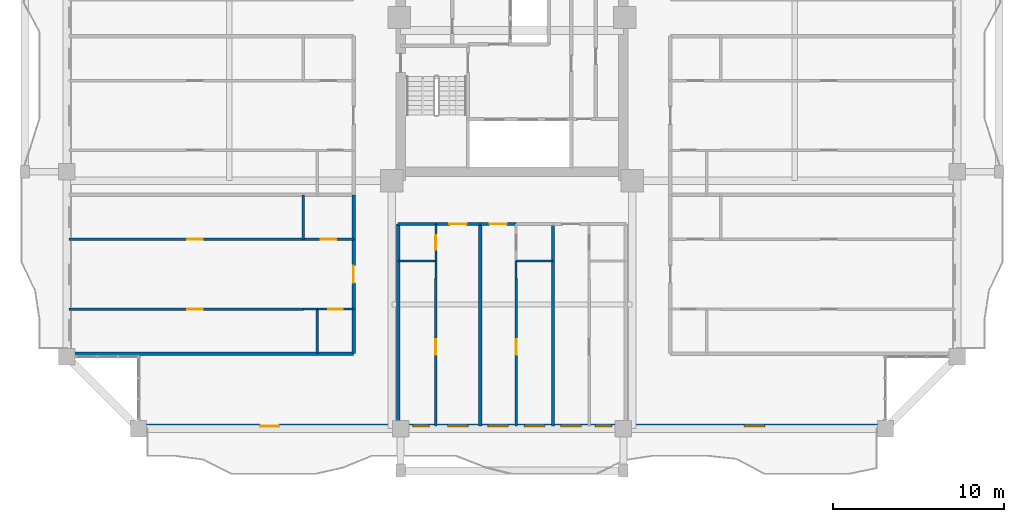
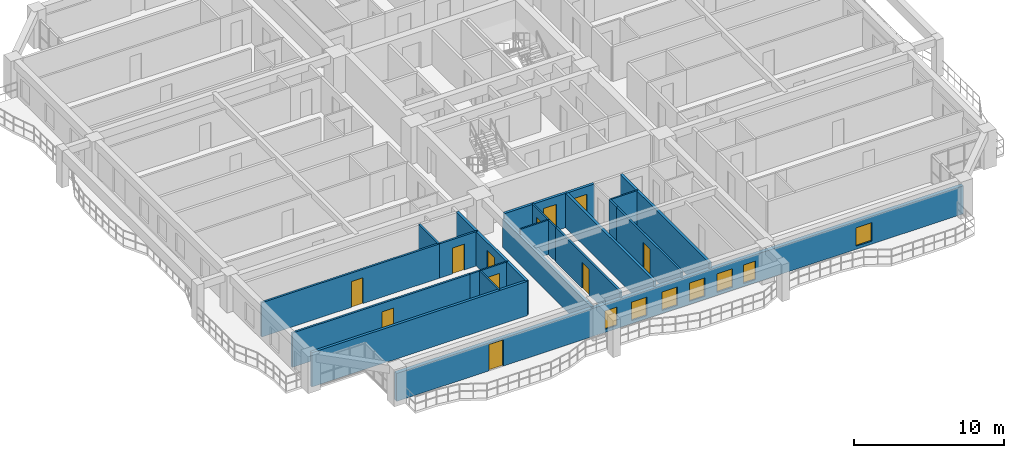
# One storey, part 14 of 25: 25 walls, 11 doors, 7 windows, 18 openings.
"""IFC4 building model written with IfcOpenShell, lengths in metres."""

from ifc_helpers import new_model, si_unit, direction, frame, frame_2d, origin, place, context, subcontext, project, spatial, rectangle, extrude, source, transform, mapped, material, layer, layer_set, type_object, element, fill, save


model = new_model("IFC4")

# Units and contexts
model_context = context("Model", 3, precision=1e-05, world=origin(), true_north=direction((0.0, 1.0)))
body_context = subcontext(model_context, "Body", "Model", "MODEL_VIEW")
ifc_project = project(units=[si_unit("LENGTHUNIT", "METRE"), si_unit("AREAUNIT", "SQUARE_METRE"), si_unit("VOLUMEUNIT", "CUBIC_METRE"), si_unit("PLANEANGLEUNIT", "RADIAN"), si_unit("MASSUNIT", "GRAM", prefix="KILO")], contexts=[model_context])

# Site, building, storey
site_placement = place(None, origin())
site = spatial("IfcSite", under=ifc_project, at=site_placement, CompositionType="ELEMENT")
building_placement = place(site_placement, origin())
building = spatial("IfcBuilding", under=site, at=building_placement, Name="Saelheon Loggia Tower", CompositionType="ELEMENT")
storey_placement = place(building_placement, frame((0.0, 0.0, 107.85009765625)))
storey = spatial("IfcBuildingStorey", under=building, at=storey_placement, Name="L34", CompositionType="ELEMENT", Elevation=107.85009765625)

# Wall, openings, windows, door
ifc_material_1 = material(Name="Architectural Precast Concrete C40/50", Category="concrete")
ifc_layer_1 = layer(ifc_material_1, 0.280029296875)
ifc_layer_set_1 = layer_set([ifc_layer_1], Name="Architectural Precast Concrete C40/50")
wall_type_1 = type_object("IfcWallType", Name="Wall_Ext_Loggia_280", PredefinedType="SOLIDWALL", material=ifc_layer_set_1)
wall_1_placement = place(storey_placement, frame((16.199951171875, 3.139892578125, 0.0), z_axis=(0.0, 0.0, 1.0), x_axis=(1.0, 0.0, 0.0)))
wall_1 = element("IfcWall", 1, at=wall_1_placement, inside=storey, type_object=wall_type_1, Name="L34 South Loggia Inner Wall", PredefinedType="SOLIDWALL", context=body_context, shape_type="SweptSolid", body=[
    extrude(rectangle(XDim=43.60009765625, YDim=0.280029296875, at=frame_2d((21.800048828125, 0.0))), origin(), (0.0, 0.0, 1.0), 2.27978515625),
])
opening_1_placement = place(wall_1_placement, frame((8.2001953125, 0.0, 0.0), z_axis=(0.0, 0.0, 1.0), x_axis=(-1.0, 0.0, 0.0)))
opening_1 = element("IfcOpeningElement", 2, at=opening_1_placement, cuts=wall_1, Name="Opening TD1", PredefinedType="OPENING", context=body_context, shape_type="SweptSolid", body=[
    extrude(rectangle(XDim=1.10009765625, YDim=2.14990234375, at=frame_2d((0.550048828125, 1.074951171875))), frame((0.0, 0.152099609375, 0.0), z_axis=(0.0, -1.0, 0.0), x_axis=(1.0, 0.0, 0.0)), (0.0, 0.0, 1.0), 0.303955078125),
])
opening_2_placement = place(wall_1_placement, frame((16.0087890625, 0.0, 0.25)))
opening_2 = element("IfcOpeningElement", 3, at=opening_2_placement, cuts=wall_1, Name="Opening WN-04", PredefinedType="OPENING", context=body_context, shape_type="SweptSolid", body=[
    extrude(rectangle(XDim=0.949951171875, YDim=1.5, at=frame_2d((0.47509765625, 0.75))), frame((0.0, 0.152099609375, 0.0), z_axis=(0.0, -1.0, 0.0), x_axis=(1.0, 0.0, 0.0)), (0.0, 0.0, 1.0), 0.303955078125),
])
opening_3_placement = place(wall_1_placement, frame((18.045166015625, 0.0, 0.25)))
opening_3 = element("IfcOpeningElement", 4, at=opening_3_placement, cuts=wall_1, Name="Opening WN-03", PredefinedType="OPENING", context=body_context, shape_type="SweptSolid", body=[
    extrude(rectangle(XDim=1.199951171875, YDim=1.5, at=frame_2d((0.60009765625, 0.75))), frame((0.0, 0.152099609375, 0.0), z_axis=(0.0, -1.0, 0.0), x_axis=(1.0, 0.0, 0.0)), (0.0, 0.0, 1.0), 0.303955078125),
])
opening_4_placement = place(wall_1_placement, frame((20.39111328125, 0.0, 0.25)))
opening_4 = element("IfcOpeningElement", 5, at=opening_4_placement, cuts=wall_1, Name="Opening WN-03", PredefinedType="OPENING", context=body_context, shape_type="SweptSolid", body=[
    extrude(rectangle(XDim=1.199951171875, YDim=1.5, at=frame_2d((0.60009765625, 0.75))), frame((0.0, 0.152099609375, 0.0), z_axis=(0.0, -1.0, 0.0), x_axis=(1.0, 0.0, 0.0)), (0.0, 0.0, 1.0), 0.303955078125),
])
opening_5_placement = place(wall_1_placement, frame((22.51904296875, 0.0, 0.25)))
opening_5 = element("IfcOpeningElement", 6, at=opening_5_placement, cuts=wall_1, Name="Opening WN-03", PredefinedType="OPENING", context=body_context, shape_type="SweptSolid", body=[
    extrude(rectangle(XDim=1.199951171875, YDim=1.5, at=frame_2d((0.60009765625, 0.75))), frame((0.0, 0.152099609375, 0.0), z_axis=(0.0, -1.0, 0.0), x_axis=(1.0, 0.0, 0.0)), (0.0, 0.0, 1.0), 0.303955078125),
])
opening_6_placement = place(wall_1_placement, frame((24.64697265625, 0.0, 0.25)))
opening_6 = element("IfcOpeningElement", 7, at=opening_6_placement, cuts=wall_1, Name="Opening WN-03", PredefinedType="OPENING", context=body_context, shape_type="SweptSolid", body=[
    extrude(rectangle(XDim=1.199951171875, YDim=1.5, at=frame_2d((0.60009765625, 0.75))), frame((0.0, 0.152099609375, 0.0), z_axis=(0.0, -1.0, 0.0), x_axis=(1.0, 0.0, 0.0)), (0.0, 0.0, 1.0), 0.303955078125),
])
opening_7_placement = place(wall_1_placement, frame((26.66748046875, 0.0, 0.25)))
opening_7 = element("IfcOpeningElement", 8, at=opening_7_placement, cuts=wall_1, Name="Opening WN-04", PredefinedType="OPENING", context=body_context, shape_type="SweptSolid", body=[
    extrude(rectangle(XDim=0.949951171875, YDim=1.5, at=frame_2d((0.47509765625, 0.75))), frame((0.0, 0.152099609375, 0.0), z_axis=(0.0, -1.0, 0.0), x_axis=(1.0, 0.0, 0.0)), (0.0, 0.0, 1.0), 0.303955078125),
])
opening_8_placement = place(wall_1_placement, frame((35.35009765625, 0.0, 0.25)))
opening_8 = element("IfcOpeningElement", 9, at=opening_8_placement, cuts=wall_1, Name="Opening WN-03", PredefinedType="OPENING", context=body_context, shape_type="SweptSolid", body=[
    extrude(rectangle(XDim=1.199951171875, YDim=1.5, at=frame_2d((0.60009765625, 0.75))), frame((0.0, 0.152099609375, 0.0), z_axis=(0.0, -1.0, 0.0), x_axis=(1.0, 0.0, 0.0)), (0.0, 0.0, 1.0), 0.303955078125),
])
ifc_material_2 = material(Name="Thermal-Break Aluminium and Triple Low-E Glass", Category="aluminium")
window_type_1 = type_object("IfcWindowType", Name="Win_Bedroom_1200x1500", PartitioningType="SINGLE_PANEL", PredefinedType="WINDOW", material=ifc_material_2)
shared_shape_1 = source(origin(), body_context, "Body", "SweptSolid", [
    extrude(rectangle(XDim=1.199951171875, YDim=1.5, at=frame_2d((0.60009765625, 0.75))), frame((0.0, 0.030029296875, 0.0), z_axis=(0.0, -1.0, 0.0), x_axis=(1.0, 0.0, 0.0)), (0.0, 0.0, 1.0), 0.06005859375),
])
window_1_placement = place(opening_3_placement, origin())
window_1 = element("IfcWindow", 10, at=window_1_placement, inside=storey, type_object=window_type_1, Name="L34 S Dwelling Window 3", OverallHeight=1.5, OverallWidth=1.199951171875, PartitioningType="SINGLE_PANEL", PredefinedType="WINDOW", context=body_context, shape_type="MappedRepresentation", body=[
    mapped(shared_shape_1, transform((0.0, 0.0, 0.0), scale=1.0)),
])
fill(opening_3, window_1)
window_2_placement = place(opening_4_placement, origin())
window_2 = element("IfcWindow", 11, at=window_2_placement, inside=storey, type_object=window_type_1, Name="L34 S Dwelling Window 4", OverallHeight=1.5, OverallWidth=1.199951171875, PartitioningType="SINGLE_PANEL", PredefinedType="WINDOW", context=body_context, shape_type="MappedRepresentation", body=[
    mapped(shared_shape_1, transform((0.0, 0.0, 0.0), scale=1.0)),
])
fill(opening_4, window_2)
window_3_placement = place(opening_5_placement, origin())
window_3 = element("IfcWindow", 12, at=window_3_placement, inside=storey, type_object=window_type_1, Name="L34 S Dwelling Window 5", OverallHeight=1.5, OverallWidth=1.199951171875, PartitioningType="SINGLE_PANEL", PredefinedType="WINDOW", context=body_context, shape_type="MappedRepresentation", body=[
    mapped(shared_shape_1, transform((0.0, 0.0, 0.0), scale=1.0)),
])
fill(opening_5, window_3)
window_4_placement = place(opening_6_placement, origin())
window_4 = element("IfcWindow", 13, at=window_4_placement, inside=storey, type_object=window_type_1, Name="L34 S Dwelling Window 6", OverallHeight=1.5, OverallWidth=1.199951171875, PartitioningType="SINGLE_PANEL", PredefinedType="WINDOW", context=body_context, shape_type="MappedRepresentation", body=[
    mapped(shared_shape_1, transform((0.0, 0.0, 0.0), scale=1.0)),
])
fill(opening_6, window_4)
window_5_placement = place(opening_8_placement, origin())
window_5 = element("IfcWindow", 14, at=window_5_placement, inside=storey, type_object=window_type_1, Name="L34 S Dwelling Window 8", OverallHeight=1.5, OverallWidth=1.199951171875, PartitioningType="SINGLE_PANEL", PredefinedType="WINDOW", context=body_context, shape_type="MappedRepresentation", body=[
    mapped(shared_shape_1, transform((0.0, 0.0, 0.0), scale=1.0)),
])
fill(opening_8, window_5)
ifc_material_3 = material(Name="Thermal-Break Aluminium Glazed Door", Category="aluminium")
door_type_1 = type_object("IfcDoorType", Name="Door_Terrace_TD1", OperationType="NOTDEFINED", PredefinedType="DOOR", material=ifc_material_3)
shared_shape_2 = source(origin(), body_context, "Body", "SweptSolid", [
    extrude(rectangle(XDim=1.10009765625, YDim=2.14990234375, at=frame_2d((0.550048828125, 1.074951171875))), frame((0.0, 0.02490234375, 0.0), z_axis=(0.0, -1.0, 0.0), x_axis=(1.0, 0.0, 0.0)), (0.0, 0.0, 1.0), 0.050048828125),
])
door_1_placement = place(opening_1_placement, origin())
door_1 = element("IfcDoor", 15, at=door_1_placement, inside=storey, type_object=door_type_1, Name="L34 S Loggia Access Door", OperationType="SINGLE_SWING_LEFT", OverallHeight=2.14990234375, OverallWidth=1.10009765625, PredefinedType="DOOR", context=body_context, shape_type="MappedRepresentation", body=[
    mapped(shared_shape_2, transform((0.0, 0.0, 0.0), scale=1.0)),
])
fill(opening_1, door_1)
window_type_2 = type_object("IfcWindowType", Name="Win_Narrow_950x1500", PartitioningType="SINGLE_PANEL", PredefinedType="WINDOW", material=ifc_material_2)
shared_shape_3 = source(origin(), body_context, "Body", "SweptSolid", [
    extrude(rectangle(XDim=0.949951171875, YDim=1.5, at=frame_2d((0.47509765625, 0.75))), frame((0.0, 0.030029296875, 0.0), z_axis=(0.0, -1.0, 0.0), x_axis=(1.0, 0.0, 0.0)), (0.0, 0.0, 1.0), 0.06005859375),
])
window_6_placement = place(opening_2_placement, origin())
window_6 = element("IfcWindow", 16, at=window_6_placement, inside=storey, type_object=window_type_2, Name="L34 S Dwelling Window 2", OverallHeight=1.5, OverallWidth=0.949951171875, PartitioningType="SINGLE_PANEL", PredefinedType="WINDOW", context=body_context, shape_type="MappedRepresentation", body=[
    mapped(shared_shape_3, transform((0.0, 0.0, 0.0), scale=1.0)),
])
fill(opening_2, window_6)
window_7_placement = place(opening_7_placement, origin())
window_7 = element("IfcWindow", 17, at=window_7_placement, inside=storey, type_object=window_type_2, Name="L34 S Dwelling Window 7", OverallHeight=1.5, OverallWidth=0.949951171875, PartitioningType="SINGLE_PANEL", PredefinedType="WINDOW", context=body_context, shape_type="MappedRepresentation", body=[
    mapped(shared_shape_3, transform((0.0, 0.0, 0.0), scale=1.0)),
])
fill(opening_7, window_7)

# Wall, opening, door
ifc_material_4 = material(Name="Lightweight Autoclaved Aerated Concrete Block and Acoustic Gypsum", Category="concrete")
ifc_layer_2 = layer(ifc_material_4, 0.14990234375)
ifc_layer_set_2 = layer_set([ifc_layer_2], Name="Lightweight Autoclaved Aerated Concrete Block and Acoustic Gypsum")
wall_type_2 = type_object("IfcWallType", Name="Wall_Part_150", PredefinedType="PARTITIONING", material=ifc_layer_set_2)
wall_2_placement = place(storey_placement, frame((33.552490234375, 11.780029296875, 0.0), z_axis=(0.0, 0.0, 1.0), x_axis=(0.0, -1.0, 0.0)))
wall_2 = element("IfcWall", 18, at=wall_2_placement, inside=storey, type_object=wall_type_2, Name="L34 S Partition U08", PredefinedType="PARTITIONING", context=body_context, shape_type="SweptSolid", body=[
    extrude(rectangle(XDim=8.630126953125, YDim=0.14990234375, at=frame_2d((4.31494140625, 0.0))), origin(), (0.0, 0.0, 1.0), 2.789794921875),
])
opening_9_placement = place(wall_2_placement, frame((3.56298828125, 0.0, 0.0)))
opening_9 = element("IfcOpeningElement", 19, at=opening_9_placement, cuts=wall_2, Name="Opening D-IN2", PredefinedType="OPENING", context=body_context, shape_type="SweptSolid", body=[
    extrude(rectangle(XDim=0.89990234375, YDim=2.10009765625, at=frame_2d((0.449951171875, 1.050048828125))), frame((0.0, 0.0869140625, 0.0), z_axis=(0.0, -1.0, 0.0), x_axis=(1.0, 0.0, 0.0)), (0.0, 0.0, 1.0), 0.173828125),
])
ifc_material_5 = material(Name="Engineered Oak Flush Door", Category="timber")
door_type_2 = type_object("IfcDoorType", Name="Door_Int_900", OperationType="NOTDEFINED", PredefinedType="DOOR", material=ifc_material_5)
shared_shape_4 = source(origin(), body_context, "Body", "SweptSolid", [
    extrude(rectangle(XDim=0.89990234375, YDim=2.10009765625, at=frame_2d((0.449951171875, 1.050048828125))), frame((0.0, 0.02490234375, 0.0), z_axis=(0.0, -1.0, 0.0), x_axis=(1.0, 0.0, 0.0)), (0.0, 0.0, 1.0), 0.050048828125),
])
door_2_placement = place(opening_9_placement, origin())
door_2 = element("IfcDoor", 20, at=door_2_placement, inside=storey, type_object=door_type_2, Name="Unit U01 Kitchen Door", OperationType="SINGLE_SWING_RIGHT", OverallHeight=2.10009765625, OverallWidth=0.89990234375, PredefinedType="DOOR", context=body_context, shape_type="MappedRepresentation", body=[
    mapped(shared_shape_4, transform((0.0, 0.0, 0.0), scale=1.0)),
])
fill(opening_9, door_2)

wall_3_placement = place(storey_placement, frame((38.243896484375, 11.780029296875, 0.0), z_axis=(0.0, 0.0, 1.0), x_axis=(0.0, -1.0, 0.0)))
wall_3 = element("IfcWall", 21, at=wall_3_placement, inside=storey, type_object=wall_type_2, Name="L34 S Partition U15", PredefinedType="PARTITIONING", context=body_context, shape_type="SweptSolid", body=[
    extrude(rectangle(XDim=8.630126953125, YDim=0.14990234375, at=frame_2d((4.31494140625, 0.0))), origin(), (0.0, 0.0, 1.0), 2.789794921875),
])
opening_10_placement = place(wall_3_placement, frame((3.56298828125, 0.0, 0.0)))
opening_10 = element("IfcOpeningElement", 22, at=opening_10_placement, cuts=wall_3, Name="Opening D-IN2", PredefinedType="OPENING", context=body_context, shape_type="SweptSolid", body=[
    extrude(rectangle(XDim=0.89990234375, YDim=2.10009765625, at=frame_2d((0.449951171875, 1.050048828125))), frame((0.0, 0.0869140625, 0.0), z_axis=(0.0, -1.0, 0.0), x_axis=(1.0, 0.0, 0.0)), (0.0, 0.0, 1.0), 0.173828125),
])
door_3_placement = place(opening_10_placement, origin())
door_3 = element("IfcDoor", 23, at=door_3_placement, inside=storey, type_object=door_type_2, Name="Unit U02 Kitchen Door", OperationType="SINGLE_SWING_LEFT", OverallHeight=2.10009765625, OverallWidth=0.89990234375, PredefinedType="DOOR", context=body_context, shape_type="MappedRepresentation", body=[
    mapped(shared_shape_4, transform((0.0, 0.0, 0.0), scale=1.0)),
])
fill(opening_10, door_3)

# Wall
wall_4_placement = place(storey_placement, frame((25.820068359375, 14.050048828125, 0.0), z_axis=(0.0, 0.0, 1.0), x_axis=(0.0, 1.0, 0.0)))
element("IfcWall", 24, at=wall_4_placement, inside=storey, type_object=wall_type_2, Name="L34 WS Partition V07", PredefinedType="PARTITIONING", context=body_context, shape_type="SweptSolid", body=[
    extrude(rectangle(XDim=2.599853515625, YDim=0.14990234375, at=frame_2d((1.2998046875, 0.0))), origin(), (0.0, 0.0, 1.0), 2.789794921875),
])

# Wall, opening, door
wall_5_placement = place(storey_placement, frame((25.820068359375, 9.9755859375, 0.0), z_axis=(0.0, 0.0, 1.0), x_axis=(-1.0, 0.0, 0.0)))
wall_5 = element("IfcWall", 25, at=wall_5_placement, inside=storey, type_object=wall_type_2, Name="L34 WS Partition U10", PredefinedType="PARTITIONING", context=body_context, shape_type="SweptSolid", body=[
    extrude(rectangle(XDim=13.670166015625, YDim=0.14990234375, at=frame_2d((6.8349609375, 0.0))), origin(), (0.0, 0.0, 1.0), 2.789794921875),
])
opening_11_placement = place(wall_5_placement, frame((5.872802734375, 0.0, 0.0)))
opening_11 = element("IfcOpeningElement", 26, at=opening_11_placement, cuts=wall_5, Name="Opening D-IN2", PredefinedType="OPENING", context=body_context, shape_type="SweptSolid", body=[
    extrude(rectangle(XDim=0.89990234375, YDim=2.10009765625, at=frame_2d((0.449951171875, 1.050048828125))), frame((0.0, 0.0869140625, 0.0), z_axis=(0.0, -1.0, 0.0), x_axis=(1.0, 0.0, 0.0)), (0.0, 0.0, 1.0), 0.173828125),
])
door_4_placement = place(opening_11_placement, origin())
door_4 = element("IfcDoor", 27, at=door_4_placement, inside=storey, type_object=door_type_2, Name="Unit U06 Kitchen Door", OperationType="SINGLE_SWING_RIGHT", OverallHeight=2.10009765625, OverallWidth=0.89990234375, PredefinedType="DOOR", context=body_context, shape_type="MappedRepresentation", body=[
    mapped(shared_shape_4, transform((0.0, 0.0, 0.0), scale=1.0)),
])
fill(opening_11, door_4)

wall_6_placement = place(storey_placement, frame((28.75, 14.050048828125, 0.0), z_axis=(0.0, 0.0, 1.0), x_axis=(-1.0, 0.0, 0.0)))
wall_6 = element("IfcWall", 28, at=wall_6_placement, inside=storey, type_object=wall_type_2, Name="L34 WS Partition U11", PredefinedType="PARTITIONING", context=body_context, shape_type="SweptSolid", body=[
    extrude(rectangle(XDim=2.929931640625, YDim=0.14990234375, at=frame_2d((1.46484375, 0.0))), origin(), (0.0, 0.0, 1.0), 2.789794921875),
])
opening_12_placement = place(wall_6_placement, frame((1.014892578125, 0.0, 0.0)))
opening_12 = element("IfcOpeningElement", 29, at=opening_12_placement, cuts=wall_6, Name="Opening D-IN2", PredefinedType="OPENING", context=body_context, shape_type="SweptSolid", body=[
    extrude(rectangle(XDim=0.89990234375, YDim=2.10009765625, at=frame_2d((0.449951171875, 1.050048828125))), frame((0.0, 0.0869140625, 0.0), z_axis=(0.0, -1.0, 0.0), x_axis=(1.0, 0.0, 0.0)), (0.0, 0.0, 1.0), 0.173828125),
])
door_5_placement = place(opening_12_placement, origin())
door_5 = element("IfcDoor", 30, at=door_5_placement, inside=storey, type_object=door_type_2, Name="Unit U06 Dressing Closet Door", OperationType="SINGLE_SWING_LEFT", OverallHeight=2.10009765625, OverallWidth=0.89990234375, PredefinedType="DOOR", context=body_context, shape_type="MappedRepresentation", body=[
    mapped(shared_shape_4, transform((0.0, 0.0, 0.0), scale=1.0)),
])
fill(opening_12, door_5)

wall_7_placement = place(storey_placement, frame((25.820068359375, 14.050048828125, 0.0), z_axis=(0.0, 0.0, 1.0), x_axis=(-1.0, 0.0, 0.0)))
wall_7 = element("IfcWall", 31, at=wall_7_placement, inside=storey, type_object=wall_type_2, Name="L34 WS Partition U12", PredefinedType="PARTITIONING", context=body_context, shape_type="SweptSolid", body=[
    extrude(rectangle(XDim=13.670166015625, YDim=0.14990234375, at=frame_2d((6.8349609375, 0.0))), origin(), (0.0, 0.0, 1.0), 2.789794921875),
])
opening_13_placement = place(wall_7_placement, frame((5.872802734375, 0.0, 0.0)))
opening_13 = element("IfcOpeningElement", 32, at=opening_13_placement, cuts=wall_7, Name="Opening D-IN2", PredefinedType="OPENING", context=body_context, shape_type="SweptSolid", body=[
    extrude(rectangle(XDim=0.89990234375, YDim=2.10009765625, at=frame_2d((0.449951171875, 1.050048828125))), frame((0.0, 0.0869140625, 0.0), z_axis=(0.0, -1.0, 0.0), x_axis=(1.0, 0.0, 0.0)), (0.0, 0.0, 1.0), 0.173828125),
])
door_6_placement = place(opening_13_placement, origin())
door_6 = element("IfcDoor", 33, at=door_6_placement, inside=storey, type_object=door_type_2, Name="Unit U06 Bedroom 1 Door", OperationType="SINGLE_SWING_RIGHT", OverallHeight=2.10009765625, OverallWidth=0.89990234375, PredefinedType="DOOR", context=body_context, shape_type="MappedRepresentation", body=[
    mapped(shared_shape_4, transform((0.0, 0.0, 0.0), scale=1.0)),
])
fill(opening_13, door_6)

# Walls
ifc_material_6 = material(Name="Double Acoustic Stud and Fireboard Partition", Category="gypsum")
ifc_layer_3 = layer(ifc_material_6, 0.199951171875)
ifc_layer_set_3 = layer_set([ifc_layer_3], Name="Double Acoustic Stud and Fireboard Partition")
wall_type_3 = type_object("IfcWallType", Name="Wall_Party_200", PredefinedType="PARTITIONING", material=ifc_layer_set_3)
wall_8_placement = place(storey_placement, frame((31.35009765625, 14.949951171875, 0.0), z_axis=(0.0, 0.0, 1.0), x_axis=(0.0, -1.0, 0.0)))
element("IfcWall", 34, at=wall_8_placement, inside=storey, type_object=wall_type_3, Name="L34 S Partition U01", PredefinedType="PARTITIONING", context=body_context, shape_type="SweptSolid", body=[
    extrude(rectangle(XDim=11.800048828125, YDim=0.199951171875, at=frame_2d((5.89990234375, 0.0))), origin(), (0.0, 0.0, 1.0), 2.33984375),
])
wall_9_placement = place(storey_placement, frame((31.35009765625, 14.949951171875, 0.0), z_axis=(0.0, 0.0, 1.0), x_axis=(1.0, 0.0, 0.0)))
element("IfcWall", 35, at=wall_9_placement, inside=storey, type_object=wall_type_3, Name="L34 S Partition V03", PredefinedType="PARTITIONING", context=body_context, shape_type="SweptSolid", body=[
    extrude(rectangle(XDim=2.202392578125, YDim=0.199951171875, at=frame_2d((1.10107421875, 0.0))), origin(), (0.0, 0.0, 1.0), 2.789794921875),
])

# Wall, opening, door
wall_10_placement = place(storey_placement, frame((33.552490234375, 14.949951171875, 0.0), z_axis=(0.0, 0.0, 1.0), x_axis=(1.0, 0.0, 0.0)))
wall_10 = element("IfcWall", 36, at=wall_10_placement, inside=storey, type_object=wall_type_3, Name="L34 S Partition V04", PredefinedType="PARTITIONING", context=body_context, shape_type="SweptSolid", body=[
    extrude(rectangle(XDim=2.58544921875, YDim=0.199951171875, at=frame_2d((1.292724609375, 0.0))), origin(), (0.0, 0.0, 1.0), 2.789794921875),
])
opening_14_placement = place(wall_10_placement, frame((0.792724609375, 0.0, 0.0)))
opening_14 = element("IfcOpeningElement", 37, at=opening_14_placement, cuts=wall_10, Name="Opening D-FD1", PredefinedType="OPENING", context=body_context, shape_type="SweptSolid", body=[
    extrude(rectangle(XDim=1.0, YDim=2.14990234375, at=frame_2d((0.5, 1.074951171875))), frame((0.0, 0.112060546875, 0.0), z_axis=(0.0, -1.0, 0.0), x_axis=(1.0, 0.0, 0.0)), (0.0, 0.0, 1.0), 0.223876953125),
])
ifc_material_7 = material(Name="Fire-Rated Engineered Timber Entrance Door", Category="wood")
door_type_3 = type_object("IfcDoorType", Name="Door_Flat_FD30S", OperationType="NOTDEFINED", PredefinedType="DOOR", material=ifc_material_7)
shared_shape_5 = source(origin(), body_context, "Body", "SweptSolid", [
    extrude(rectangle(XDim=1.0, YDim=2.14990234375, at=frame_2d((0.5, 1.074951171875))), frame((0.0, 0.02490234375, 0.0), z_axis=(0.0, -1.0, 0.0), x_axis=(1.0, 0.0, 0.0)), (0.0, 0.0, 1.0), 0.050048828125),
])
door_7_placement = place(opening_14_placement, origin())
door_7 = element("IfcDoor", 38, at=door_7_placement, inside=storey, type_object=door_type_3, Name="Unit U01 Entrance Door", OperationType="SINGLE_SWING_RIGHT", OverallHeight=2.14990234375, OverallWidth=1.0, PredefinedType="DOOR", context=body_context, shape_type="MappedRepresentation", body=[
    mapped(shared_shape_5, transform((0.0, 0.0, 0.0), scale=1.0)),
])
fill(opening_14, door_7)

# Wall
wall_11_placement = place(storey_placement, frame((36.137939453125, 14.949951171875, 0.0), z_axis=(0.0, 0.0, 1.0), x_axis=(0.0, -1.0, 0.0)))
element("IfcWall", 39, at=wall_11_placement, inside=storey, type_object=wall_type_3, Name="L34 S Partition U09", PredefinedType="PARTITIONING", context=body_context, shape_type="SweptSolid", body=[
    extrude(rectangle(XDim=11.800048828125, YDim=0.199951171875, at=frame_2d((5.89990234375, 0.0))), origin(), (0.0, 0.0, 1.0), 2.789794921875),
])

# Wall, opening, door
wall_12_placement = place(storey_placement, frame((36.137939453125, 14.949951171875, 0.0), z_axis=(0.0, 0.0, 1.0), x_axis=(1.0, 0.0, 0.0)))
wall_12 = element("IfcWall", 40, at=wall_12_placement, inside=storey, type_object=wall_type_3, Name="L34 S Partition V10", PredefinedType="PARTITIONING", context=body_context, shape_type="SweptSolid", body=[
    extrude(rectangle(XDim=2.10595703125, YDim=0.199951171875, at=frame_2d((1.052978515625, 0.0))), origin(), (0.0, 0.0, 1.0), 2.789794921875),
])
opening_15_placement = place(wall_12_placement, frame((0.552978515625, 0.0, 0.0)))
opening_15 = element("IfcOpeningElement", 41, at=opening_15_placement, cuts=wall_12, Name="Opening D-FD1", PredefinedType="OPENING", context=body_context, shape_type="SweptSolid", body=[
    extrude(rectangle(XDim=1.0, YDim=2.14990234375, at=frame_2d((0.5, 1.074951171875))), frame((0.0, 0.112060546875, 0.0), z_axis=(0.0, -1.0, 0.0), x_axis=(1.0, 0.0, 0.0)), (0.0, 0.0, 1.0), 0.223876953125),
])
door_8_placement = place(opening_15_placement, origin())
door_8 = element("IfcDoor", 42, at=door_8_placement, inside=storey, type_object=door_type_3, Name="Unit U02 Entrance Door", OperationType="SINGLE_SWING_LEFT", OverallHeight=2.14990234375, OverallWidth=1.0, PredefinedType="DOOR", context=body_context, shape_type="MappedRepresentation", body=[
    mapped(shared_shape_5, transform((0.0, 0.0, 0.0), scale=1.0)),
])
fill(opening_15, door_8)

# Walls
wall_13_placement = place(storey_placement, frame((40.39404296875, 14.949951171875, 0.0), z_axis=(0.0, 0.0, 1.0), x_axis=(0.0, -1.0, 0.0)))
element("IfcWall", 43, at=wall_13_placement, inside=storey, type_object=wall_type_3, Name="L34 S Partition U16", PredefinedType="PARTITIONING", context=body_context, shape_type="SweptSolid", body=[
    extrude(rectangle(XDim=11.800048828125, YDim=0.199951171875, at=frame_2d((5.89990234375, 0.0))), origin(), (0.0, 0.0, 1.0), 2.789794921875),
])
wall_14_placement = place(storey_placement, frame((28.75, 7.3798828125, 0.0), z_axis=(0.0, 0.0, 1.0), x_axis=(-1.0, 0.0, 0.0)))
element("IfcWall", 44, at=wall_14_placement, inside=storey, type_object=wall_type_3, Name="L34 WS Partition U01", PredefinedType="PARTITIONING", context=body_context, shape_type="SweptSolid", body=[
    extrude(rectangle(XDim=16.60009765625, YDim=0.199951171875, at=frame_2d((8.300048828125, 0.0))), origin(), (0.0, 0.0, 1.0), 2.789794921875),
])
wall_15_placement = place(storey_placement, frame((28.75, 7.3798828125, 0.0), z_axis=(0.0, 0.0, 1.0), x_axis=(0.0, 1.0, 0.0)))
element("IfcWall", 45, at=wall_15_placement, inside=storey, type_object=wall_type_3, Name="L34 WS Partition V03", PredefinedType="PARTITIONING", context=body_context, shape_type="SweptSolid", body=[
    extrude(rectangle(XDim=2.595703125, YDim=0.199951171875, at=frame_2d((1.2978515625, 0.0))), origin(), (0.0, 0.0, 1.0), 2.789794921875),
])

# Wall, opening, door
wall_16_placement = place(storey_placement, frame((28.75, 9.9755859375, 0.0), z_axis=(0.0, 0.0, 1.0), x_axis=(0.0, 1.0, 0.0)))
wall_16 = element("IfcWall", 46, at=wall_16_placement, inside=storey, type_object=wall_type_3, Name="L34 WS Partition V04", PredefinedType="PARTITIONING", context=body_context, shape_type="SweptSolid", body=[
    extrude(rectangle(XDim=4.074462890625, YDim=0.199951171875, at=frame_2d((2.037109375, 0.0))), origin(), (0.0, 0.0, 1.0), 2.789794921875),
])
opening_16_placement = place(wall_16_placement, frame((1.537109375, 0.0, 0.0)))
opening_16 = element("IfcOpeningElement", 47, at=opening_16_placement, cuts=wall_16, Name="Opening D-FD1", PredefinedType="OPENING", context=body_context, shape_type="SweptSolid", body=[
    extrude(rectangle(XDim=1.0, YDim=2.14990234375, at=frame_2d((0.5, 1.074951171875))), frame((0.0, 0.112060546875, 0.0), z_axis=(0.0, -1.0, 0.0), x_axis=(1.0, 0.0, 0.0)), (0.0, 0.0, 1.0), 0.223876953125),
])
door_9_placement = place(opening_16_placement, origin())
door_9 = element("IfcDoor", 48, at=door_9_placement, inside=storey, type_object=door_type_3, Name="Unit U06 Entrance Door", OperationType="SINGLE_SWING_RIGHT", OverallHeight=2.14990234375, OverallWidth=1.0, PredefinedType="DOOR", context=body_context, shape_type="MappedRepresentation", body=[
    mapped(shared_shape_5, transform((0.0, 0.0, 0.0), scale=1.0)),
])
fill(opening_16, door_9)

# Wall
wall_17_placement = place(storey_placement, frame((28.75, 14.050048828125, 0.0), z_axis=(0.0, 0.0, 1.0), x_axis=(0.0, 1.0, 0.0)))
element("IfcWall", 49, at=wall_17_placement, inside=storey, type_object=wall_type_3, Name="L34 WS Partition V05", PredefinedType="PARTITIONING", context=body_context, shape_type="SweptSolid", body=[
    extrude(rectangle(XDim=2.599853515625, YDim=0.199951171875, at=frame_2d((1.2998046875, 0.0))), origin(), (0.0, 0.0, 1.0), 2.789794921875),
])

# Wall, opening, door
ifc_material_8 = material(Name="Moisture-Resistant Cement Board Partition", Category="gypsum")
ifc_layer_4 = layer(ifc_material_8, 0.1201171875)
ifc_layer_set_4 = layer_set([ifc_layer_4], Name="Moisture-Resistant Cement Board Partition")
wall_type_4 = type_object("IfcWallType", Name="Wall_WetPart_120", PredefinedType="PARTITIONING", material=ifc_layer_set_4)
wall_18_placement = place(storey_placement, frame((33.552490234375, 14.949951171875, 0.0), z_axis=(0.0, 0.0, 1.0), x_axis=(0.0, -1.0, 0.0)))
wall_18 = element("IfcWall", 50, at=wall_18_placement, inside=storey, type_object=wall_type_4, Name="L34 S Partition U05", PredefinedType="PARTITIONING", context=body_context, shape_type="SweptSolid", body=[
    extrude(rectangle(XDim=2.14990234375, YDim=0.1201171875, at=frame_2d((1.074951171875, 0.0))), origin(), (0.0, 0.0, 1.0), 2.789794921875),
])
opening_17_placement = place(wall_18_placement, frame((0.64990234375, 0.0, 0.0)))
opening_17 = element("IfcOpeningElement", 51, at=opening_17_placement, cuts=wall_18, Name="Opening D-BT1", PredefinedType="OPENING", context=body_context, shape_type="SweptSolid", body=[
    extrude(rectangle(XDim=0.85009765625, YDim=2.050048828125, at=frame_2d((0.425048828125, 1.02490234375))), frame((0.0, 0.072021484375, 0.0), z_axis=(0.0, -1.0, 0.0), x_axis=(1.0, 0.0, 0.0)), (0.0, 0.0, 1.0), 0.14404296875),
])
ifc_material_9 = material(Name="Moisture-Resistant Laminate Timber Door", Category="wood")
door_type_4 = type_object("IfcDoorType", Name="Door_Bath_850", OperationType="NOTDEFINED", PredefinedType="DOOR", material=ifc_material_9)
shared_shape_6 = source(origin(), body_context, "Body", "SweptSolid", [
    extrude(rectangle(XDim=0.85009765625, YDim=2.050048828125, at=frame_2d((0.425048828125, 1.02490234375))), frame((0.0, 0.02490234375, 0.0), z_axis=(0.0, -1.0, 0.0), x_axis=(1.0, 0.0, 0.0)), (0.0, 0.0, 1.0), 0.050048828125),
])
door_10_placement = place(opening_17_placement, origin())
door_10 = element("IfcDoor", 52, at=door_10_placement, inside=storey, type_object=door_type_4, Name="Unit U01 Bathroom Door", OperationType="SINGLE_SWING_LEFT", OverallHeight=2.050048828125, OverallWidth=0.85009765625, PredefinedType="DOOR", context=body_context, shape_type="MappedRepresentation", body=[
    mapped(shared_shape_6, transform((0.0, 0.0, 0.0), scale=1.0)),
])
fill(opening_17, door_10)

# Walls
wall_19_placement = place(storey_placement, frame((33.552490234375, 12.800048828125, 0.0), z_axis=(0.0, 0.0, 1.0), x_axis=(0.0, -1.0, 0.0)))
element("IfcWall", 53, at=wall_19_placement, inside=storey, type_object=wall_type_4, Name="L34 S Partition U06", PredefinedType="PARTITIONING", context=body_context, shape_type="SweptSolid", body=[
    extrude(rectangle(XDim=1.02001953125, YDim=0.1201171875, at=frame_2d((0.510009765625, 0.0))), origin(), (0.0, 0.0, 1.0), 2.789794921875),
])
wall_20_placement = place(storey_placement, frame((31.35009765625, 12.800048828125, 0.0), z_axis=(0.0, 0.0, 1.0), x_axis=(1.0, 0.0, 0.0)))
element("IfcWall", 54, at=wall_20_placement, inside=storey, type_object=wall_type_4, Name="L34 S Partition V07", PredefinedType="PARTITIONING", context=body_context, shape_type="SweptSolid", body=[
    extrude(rectangle(XDim=2.202392578125, YDim=0.1201171875, at=frame_2d((1.10107421875, 0.0))), origin(), (0.0, 0.0, 1.0), 2.789794921875),
])
wall_21_placement = place(storey_placement, frame((38.243896484375, 12.800048828125, 0.0), z_axis=(0.0, 0.0, 1.0), x_axis=(0.0, -1.0, 0.0)))
element("IfcWall", 55, at=wall_21_placement, inside=storey, type_object=wall_type_4, Name="L34 S Partition U13", PredefinedType="PARTITIONING", context=body_context, shape_type="SweptSolid", body=[
    extrude(rectangle(XDim=1.02001953125, YDim=0.1201171875, at=frame_2d((0.510009765625, 0.0))), origin(), (0.0, 0.0, 1.0), 2.789794921875),
])
wall_22_placement = place(storey_placement, frame((38.243896484375, 12.800048828125, 0.0), z_axis=(0.0, 0.0, 1.0), x_axis=(1.0, 0.0, 0.0)))
element("IfcWall", 56, at=wall_22_placement, inside=storey, type_object=wall_type_4, Name="L34 S Partition V14", PredefinedType="PARTITIONING", context=body_context, shape_type="SweptSolid", body=[
    extrude(rectangle(XDim=2.150146484375, YDim=0.1201171875, at=frame_2d((1.0751953125, 0.0))), origin(), (0.0, 0.0, 1.0), 2.789794921875),
])
wall_23_placement = place(storey_placement, frame((26.6298828125, 7.3798828125, 0.0), z_axis=(0.0, 0.0, 1.0), x_axis=(0.0, 1.0, 0.0)))
element("IfcWall", 57, at=wall_23_placement, inside=storey, type_object=wall_type_4, Name="L34 WS Partition V06", PredefinedType="PARTITIONING", context=body_context, shape_type="SweptSolid", body=[
    extrude(rectangle(XDim=2.595703125, YDim=0.1201171875, at=frame_2d((1.2978515625, 0.0))), origin(), (0.0, 0.0, 1.0), 2.789794921875),
])

# Wall, opening, door
wall_24_placement = place(storey_placement, frame((28.75, 9.9755859375, 0.0), z_axis=(0.0, 0.0, 1.0), x_axis=(-1.0, 0.0, 0.0)))
wall_24 = element("IfcWall", 58, at=wall_24_placement, inside=storey, type_object=wall_type_4, Name="L34 WS Partition U08", PredefinedType="PARTITIONING", context=body_context, shape_type="SweptSolid", body=[
    extrude(rectangle(XDim=2.1201171875, YDim=0.1201171875, at=frame_2d((1.06005859375, 0.0))), origin(), (0.0, 0.0, 1.0), 2.789794921875),
])
opening_18_placement = place(wall_24_placement, frame((0.635009765625, 0.0, 0.0)))
opening_18 = element("IfcOpeningElement", 59, at=opening_18_placement, cuts=wall_24, Name="Opening D-BT1", PredefinedType="OPENING", context=body_context, shape_type="SweptSolid", body=[
    extrude(rectangle(XDim=0.85009765625, YDim=2.050048828125, at=frame_2d((0.425048828125, 1.02490234375))), frame((0.0, 0.072021484375, 0.0), z_axis=(0.0, -1.0, 0.0), x_axis=(1.0, 0.0, 0.0)), (0.0, 0.0, 1.0), 0.14404296875),
])
door_11_placement = place(opening_18_placement, origin())
door_11 = element("IfcDoor", 60, at=door_11_placement, inside=storey, type_object=door_type_4, Name="Unit U06 Bathroom Door", OperationType="SINGLE_SWING_LEFT", OverallHeight=2.050048828125, OverallWidth=0.85009765625, PredefinedType="DOOR", context=body_context, shape_type="MappedRepresentation", body=[
    mapped(shared_shape_6, transform((0.0, 0.0, 0.0), scale=1.0)),
])
fill(opening_18, door_11)

# Wall
wall_25_placement = place(storey_placement, frame((26.6298828125, 9.9755859375, 0.0), z_axis=(0.0, 0.0, 1.0), x_axis=(-1.0, 0.0, 0.0)))
element("IfcWall", 61, at=wall_25_placement, inside=storey, type_object=wall_type_4, Name="L34 WS Partition U09", PredefinedType="PARTITIONING", context=body_context, shape_type="SweptSolid", body=[
    extrude(rectangle(XDim=0.809814453125, YDim=0.1201171875, at=frame_2d((0.40478515625, 0.0))), origin(), (0.0, 0.0, 1.0), 2.789794921875),
])

save(model, "model.ifc")
